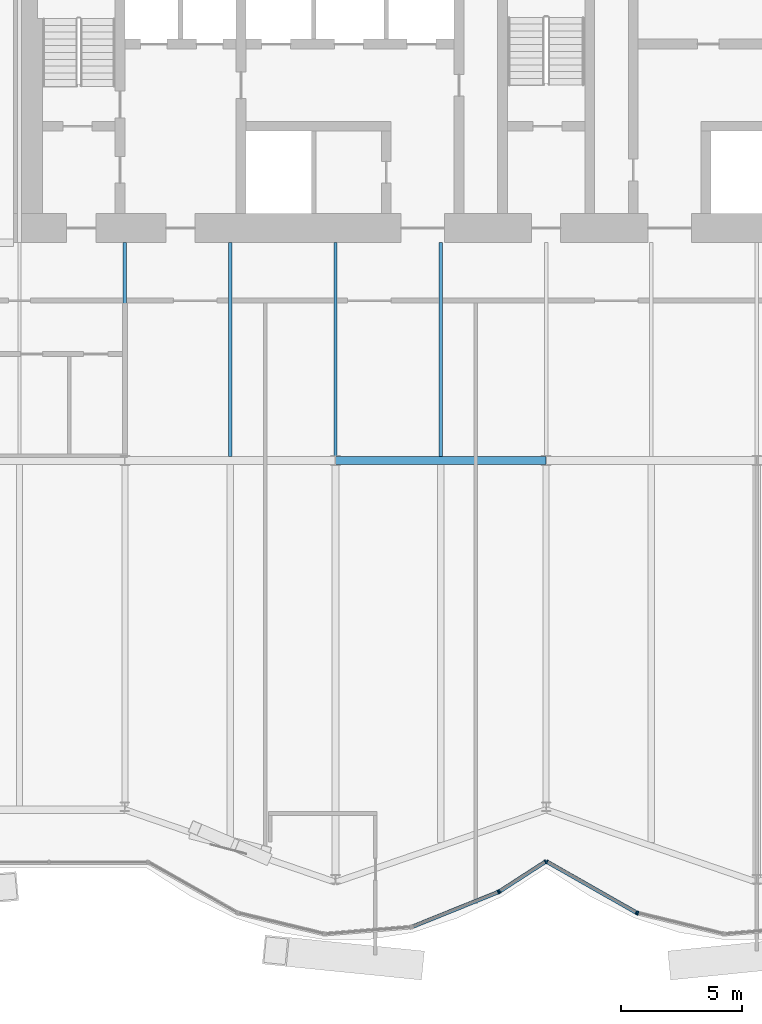
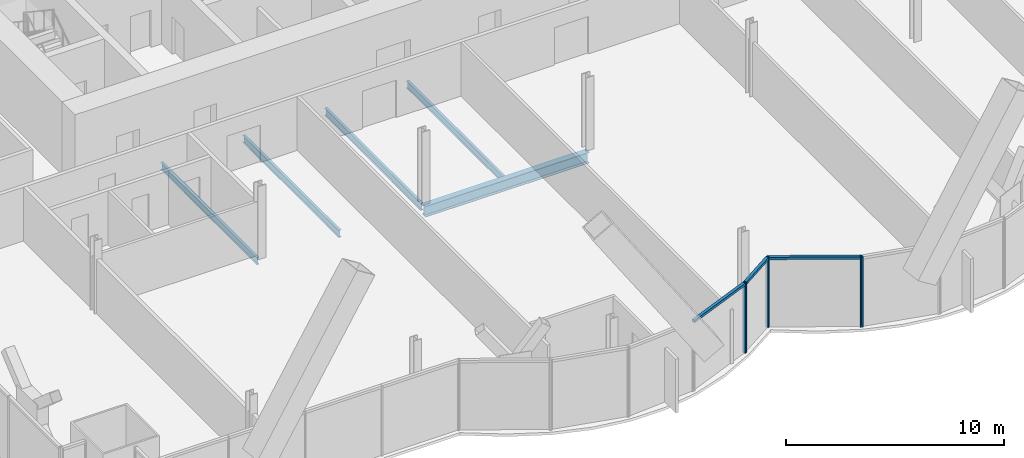
# One storey, part 7 of 22: 9 members, 5 beams, 2 elements without a shape of their own.
"""IFC4 building model written with IfcOpenShell, lengths in metres."""

from ifc_helpers import new_model, si_unit, direction, frame, origin, origin_2d, place, context, subcontext, project, spatial, rectangle, i_section, extrude, material, material_profile, profile_set, type_object, element, aggregate, save


model = new_model("IFC4")

# Units and contexts
model_context = context("Model", 3, precision=1e-05, world=origin(), true_north=direction((0.0, 1.0)))
body_context = subcontext(model_context, "Body", "Model", "MODEL_VIEW")
ifc_project = project(units=[si_unit("LENGTHUNIT", "METRE"), si_unit("AREAUNIT", "SQUARE_METRE"), si_unit("VOLUMEUNIT", "CUBIC_METRE"), si_unit("PLANEANGLEUNIT", "RADIAN"), si_unit("MASSUNIT", "GRAM", prefix="KILO")], contexts=[model_context])

# Site, building, storey
site_placement = place(None, origin())
site = spatial("IfcSite", under=ifc_project, at=site_placement, CompositionType="ELEMENT")
building_placement = place(site_placement, origin())
building = spatial("IfcBuilding", under=site, at=building_placement, Name="Bicima Exchange Tower", CompositionType="ELEMENT")
storey_placement = place(building_placement, frame((0.0, 0.0, 94.0)))
storey = spatial("IfcBuildingStorey", under=building, at=storey_placement, Name="L19", CompositionType="ELEMENT", Elevation=94.0)

# Beams
ifc_material_1 = material(Name="Steel ASTM A992 Gr 50", Category="steel")
ifc_material_profile_1 = material_profile(ifc_material_1, i_section(OverallWidth=0.140380859375, OverallDepth=0.40380859375, WebThickness=0.007080078125, FlangeThickness=0.01123046875, at=origin_2d()))
ifc_profile_set_1 = profile_set([ifc_material_profile_1], Name="Steel ASTM A992 Gr 50")
beam_type_1 = type_object("IfcBeamType", Name="Floor beam W16x31", PredefinedType="JOIST", material=ifc_profile_set_1)
for number, where, z_axis, x_axis, name in (
    (1, (-17.39990234375, -13.0, -0.351806640625), (0.0, -1.0, 0.0), (1.0, 0.0, 0.0), "Floor beam"),
    (2, (-13.050048828125, -13.0, -0.351806640625), (0.0, -1.0, 0.0), (1.0, 0.0, 0.0), "Floor beam"),
    (3, (-8.699951171875, -13.0, -0.351806640625), (0.0, -1.0, 0.0), (1.0, 0.0, 0.0), "Floor beam"),
    (4, (-4.35009765625, -13.0, -0.351806640625), (0.0, -1.0, 0.0), (1.0, 0.0, 0.0), "Floor beam"),
):
    element("IfcBeam", number, at=place(storey_placement, frame(where, z_axis=z_axis, x_axis=x_axis)), inside=storey, type_object=beam_type_1, Name=name, PredefinedType="JOIST", context=body_context, shape_type="SweptSolid", body=[
        extrude(i_section(OverallWidth=0.140380859375, OverallDepth=0.40380859375, WebThickness=0.007080078125, FlangeThickness=0.01123046875, at=origin_2d()), origin(), (0.0, 0.0, 1.0), 8.83740234375),
    ])

# Curtain wall, members
ifc_material_2 = material(Name="Anodised bronze aluminium", Category="aluminium")
curtain_wall_type = type_object("IfcCurtainWallType", Name="Front glass wall", PredefinedType="NOTDEFINED", material=ifc_material_2)
curtain_wall_1_placement = place(storey_placement, origin())
curtain_wall_1 = element("IfcCurtainWall", 5, at=curtain_wall_1_placement, inside=storey, type_object=curtain_wall_type, Name="Front glass wall L19 run 6", PredefinedType="NOTDEFINED")
ifc_material_profile_2 = material_profile(ifc_material_2, rectangle(XDim=0.159912109375, YDim=0.06005859375, at=origin_2d()))
ifc_profile_set_2 = profile_set([ifc_material_profile_2], Name="Anodised bronze aluminium")
member_type_1 = type_object("IfcMemberType", Name="Front glass wall mullion 60 x 160", PredefinedType="MULLION", material=ifc_profile_set_2)
member_1_placement = place(storey_placement, frame((-1.97412109375, -39.823486328125, 0.0), z_axis=(0.0, 0.0, 1.0), x_axis=(-0.374705304, 0.92714396679, 0.0)))
member_1 = element("IfcMember", 6, at=member_1_placement, type_object=member_type_1, Name="Front glass wall mullion 2", PredefinedType="MULLION", context=body_context, shape_type="SweptSolid", body=[
    extrude(rectangle(XDim=0.159912109375, YDim=0.06005859375, at=origin_2d()), origin(), (0.0, 0.0, 1.0), 3.949951171875),
])
member_2_placement = place(storey_placement, frame((-1.921142578125, -39.796142578125, 0.0), z_axis=(0.0, 0.0, 1.0), x_axis=(-0.542897457326, 0.839798994301, 0.0)))
member_2 = element("IfcMember", 7, at=member_2_placement, type_object=member_type_1, Name="Front glass wall mullion 1", PredefinedType="MULLION", context=body_context, shape_type="SweptSolid", body=[
    extrude(rectangle(XDim=0.159912109375, YDim=0.06005859375, at=origin_2d()), origin(), (0.0, 0.0, 1.0), 3.949951171875),
])
member_3_placement = place(storey_placement, frame((-0.025146484375, -38.5703125, 0.0), z_axis=(0.0, 0.0, 1.0), x_axis=(-0.542897457326, 0.839798994301, 0.0)))
member_3 = element("IfcMember", 8, at=member_3_placement, type_object=member_type_1, Name="Front glass wall mullion 2", PredefinedType="MULLION", context=body_context, shape_type="SweptSolid", body=[
    extrude(rectangle(XDim=0.159912109375, YDim=0.06005859375, at=origin_2d()), origin(), (0.0, 0.0, 1.0), 3.949951171875),
])

curtain_wall_2_placement = place(storey_placement, origin())
curtain_wall_2 = element("IfcCurtainWall", 9, at=curtain_wall_2_placement, inside=storey, type_object=curtain_wall_type, Name="Front glass wall L19 run 11", PredefinedType="NOTDEFINED")
member_4_placement = place(storey_placement, frame((0.026123046875, -38.569091796875, 0.0), z_axis=(0.0, 0.0, 1.0), x_axis=(0.494330311331, 0.869274147378, 0.0)))
member_4 = element("IfcMember", 10, at=member_4_placement, type_object=member_type_1, Name="Front glass wall mullion 1", PredefinedType="MULLION", context=body_context, shape_type="SweptSolid", body=[
    extrude(rectangle(XDim=0.159912109375, YDim=0.06005859375, at=origin_2d()), origin(), (0.0, 0.0, 1.0), 3.949951171875),
])
member_5_placement = place(storey_placement, frame((3.7265625, -40.67333984375, 0.0), z_axis=(0.0, 0.0, 1.0), x_axis=(0.494330311331, 0.869274147378, 0.0)))
member_5 = element("IfcMember", 11, at=member_5_placement, type_object=member_type_1, Name="Front glass wall mullion 2", PredefinedType="MULLION", context=body_context, shape_type="SweptSolid", body=[
    extrude(rectangle(XDim=0.159912109375, YDim=0.06005859375, at=origin_2d()), origin(), (0.0, 0.0, 1.0), 3.949951171875),
])
member_6_placement = place(storey_placement, frame((3.781982421875, -40.6953125, 0.0), z_axis=(0.0, 0.0, 1.0), x_axis=(0.235681529503, 0.971830343553, 0.0)))
member_6 = element("IfcMember", 12, at=member_6_placement, type_object=member_type_1, Name="Front glass wall mullion 1", PredefinedType="MULLION", context=body_context, shape_type="SweptSolid", body=[
    extrude(rectangle(XDim=0.159912109375, YDim=0.06005859375, at=origin_2d()), origin(), (0.0, 0.0, 1.0), 3.949951171875),
])

# Member
ifc_material_profile_3 = material_profile(ifc_material_2, rectangle(XDim=0.159912109375, YDim=0.139892578125, at=origin_2d()))
ifc_profile_set_3 = profile_set([ifc_material_profile_3], Name="Anodised bronze aluminium")
member_type_2 = type_object("IfcMemberType", Name="Front glass wall transom 140 x 160", PredefinedType="USERDEFINED", material=ifc_profile_set_3)
member_7_placement = place(storey_placement, frame((-5.498291015625, -41.247802734375, 3.8798828125), z_axis=(0.927140215882, 0.374714584842, 0.0), x_axis=(-0.374714584842, 0.927140215882, 0.0)))
member_7 = element("IfcMember", 13, at=member_7_placement, type_object=member_type_2, Name="Front glass wall transom 1.1", ObjectType="TRANSOM", PredefinedType="USERDEFINED", context=body_context, shape_type="SweptSolid", body=[
    extrude(rectangle(XDim=0.159912109375, YDim=0.139892578125, at=origin_2d()), origin(), (0.0, 0.0, 1.0), 3.77099609375),
])

member_8_placement = place(storey_placement, frame((-1.89599609375, -39.77978515625, 3.8798828125), z_axis=(0.839811483481, 0.542878137536, 0.0), x_axis=(-0.542878137536, 0.839811483481, 0.0)))
member_8 = element("IfcMember", 14, at=member_8_placement, type_object=member_type_2, Name="Front glass wall transom 1.1", ObjectType="TRANSOM", PredefinedType="USERDEFINED", context=body_context, shape_type="SweptSolid", body=[
    extrude(rectangle(XDim=0.159912109375, YDim=0.139892578125, at=origin_2d()), origin(), (0.0, 0.0, 1.0), 2.19775390625),
])

aggregate(curtain_wall_1, [member_1, member_7, member_2, member_3, member_8])

member_9_placement = place(storey_placement, frame((0.05224609375, -38.583740234375, 3.8798828125), z_axis=(0.869265121745, -0.494346182466, 0.0), x_axis=(0.494346182466, 0.869265121745, 0.0)))
member_9 = element("IfcMember", 15, at=member_9_placement, type_object=member_type_2, Name="Front glass wall transom 1.1", ObjectType="TRANSOM", PredefinedType="USERDEFINED", context=body_context, shape_type="SweptSolid", body=[
    extrude(rectangle(XDim=0.159912109375, YDim=0.139892578125, at=origin_2d()), origin(), (0.0, 0.0, 1.0), 4.19677734375),
])

aggregate(curtain_wall_2, [member_4, member_5, member_9, member_6])

# Beam
ifc_material_profile_4 = material_profile(ifc_material_1, i_section(OverallWidth=0.3251953125, OverallDepth=0.612060546875, WebThickness=0.0126953125, FlangeThickness=0.01904296875, at=origin_2d()))
ifc_profile_set_4 = profile_set([ifc_material_profile_4], Name="Steel ASTM A992 Gr 50")
beam_type_2 = type_object("IfcBeamType", Name="Row girder W24x104", PredefinedType="BEAM", material=ifc_profile_set_4)
beam_placement = place(storey_placement, frame((-8.699951171875, -22.0, -0.4560546875), z_axis=(1.0, 0.0, 0.0), x_axis=(0.0, 1.0, 0.0)))
element("IfcBeam", 16, at=beam_placement, inside=storey, type_object=beam_type_2, Name="Row girder", PredefinedType="BEAM", context=body_context, shape_type="SweptSolid", body=[
    extrude(i_section(OverallWidth=0.3251953125, OverallDepth=0.612060546875, WebThickness=0.0126953125, FlangeThickness=0.01904296875, at=origin_2d()), origin(), (0.0, 0.0, 1.0), 8.699951171875),
])

save(model, "model.ifc")
